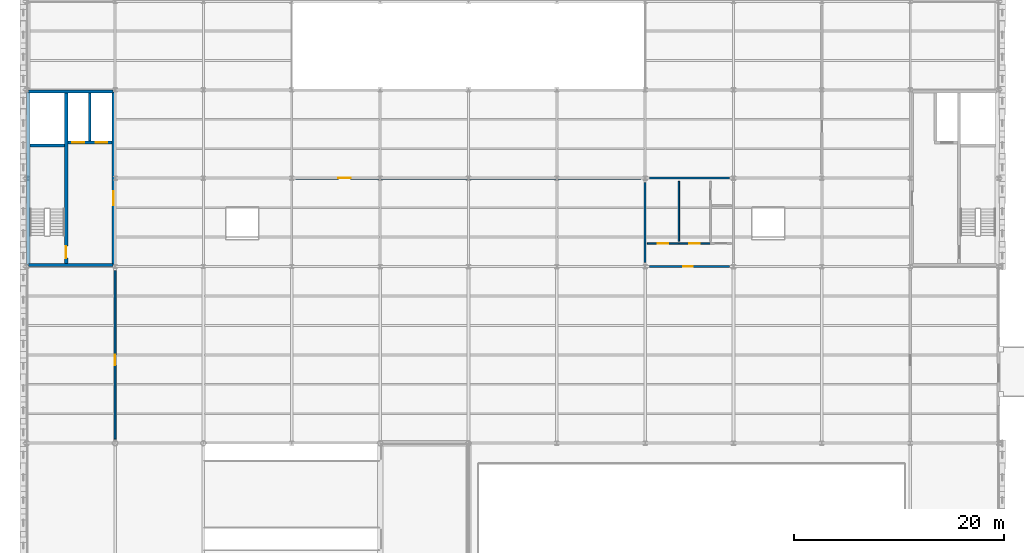
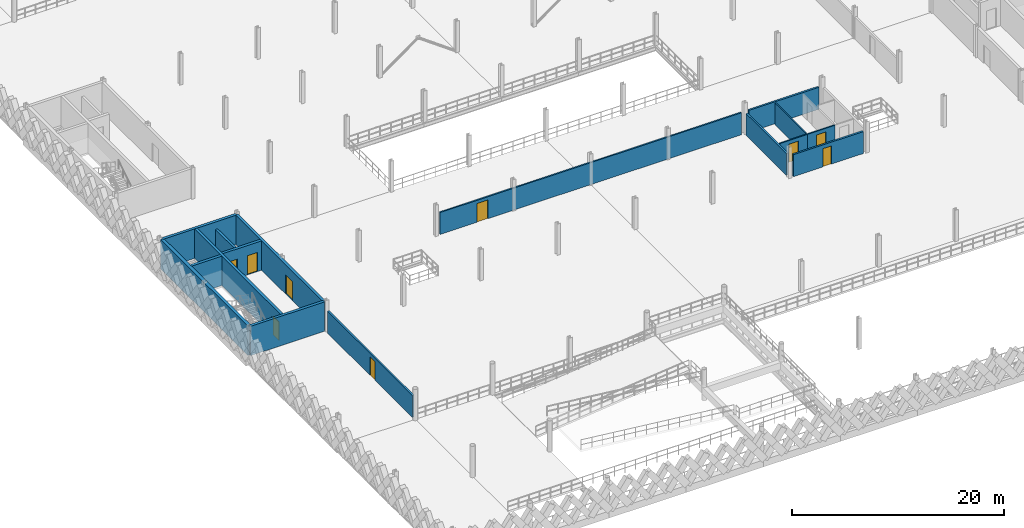
# One storey, part 84 of 101: 16 walls, 9 doors, 9 openings.
"""IFC4 building model written with IfcOpenShell, lengths in metres."""

from ifc_helpers import new_model, si_unit, direction, frame, frame_2d, origin, place, context, subcontext, project, spatial, rectangle, extrude, material, layer, layer_set, type_object, element, fill, save


model = new_model("IFC4")

# Units and contexts
model_context = context("Model", 3, precision=1e-05, world=origin(), true_north=direction((0.0, 1.0)))
body_context = subcontext(model_context, "Body", "Model", "MODEL_VIEW")
ifc_project = project(units=[si_unit("LENGTHUNIT", "METRE"), si_unit("AREAUNIT", "SQUARE_METRE"), si_unit("VOLUMEUNIT", "CUBIC_METRE"), si_unit("PLANEANGLEUNIT", "RADIAN"), si_unit("MASSUNIT", "GRAM", prefix="KILO"), si_unit("THERMODYNAMICTEMPERATUREUNIT", "KELVIN"), si_unit("POWERUNIT", "WATT")], contexts=[model_context])

# Site, building, storey
site_placement = place(None, origin())
site = spatial("IfcSite", under=ifc_project, at=site_placement, CompositionType="ELEMENT")
building_placement = place(site_placement, origin())
building = spatial("IfcBuilding", under=site, at=building_placement, Name="Tembeka Court Mobility Hub", CompositionType="ELEMENT")
storey_placement = place(building_placement, frame((0.0, 0.0, 5.39990234375)))
storey = spatial("IfcBuildingStorey", under=building, at=storey_placement, Name="L01", CompositionType="ELEMENT", Elevation=5.39990234375)

# Wall
ifc_material_1 = material(Name="Concrete C40/50", Category="concrete")
ifc_layer_1 = layer(ifc_material_1, 0.25)
ifc_layer_set_1 = layer_set([ifc_layer_1], Name="Concrete C40/50")
wall_type_1 = type_object("IfcWallType", Name="WL-IW01", PredefinedType="PARTITIONING", material=ifc_layer_set_1)
wall_1_placement = place(storey_placement, frame((6.0, 50.35009765625, 0.0), z_axis=(0.0, 0.0, 1.0), x_axis=(0.0, 1.0, 0.0)))
element("IfcWall", 1, at=wall_1_placement, inside=storey, type_object=wall_type_1, Name="Wall IW01 (IW-L01-0024)", PredefinedType="PARTITIONING", context=body_context, shape_type="SweptSolid", body=[
    extrude(rectangle(XDim=4.5498046875, YDim=0.25, at=frame_2d((2.27490234375, 0.0))), origin(), (0.0, 0.0, 1.0), 2.525146484375),
])

# Wall, opening, door
ifc_material_2 = material(Name="Concrete blockwork masonry", Category="masonry")
ifc_layer_2 = layer(ifc_material_2, 0.199951171875)
ifc_layer_set_2 = layer_set([ifc_layer_2], Name="Concrete blockwork masonry")
wall_type_2 = type_object("IfcWallType", Name="WL-IW02", PredefinedType="PARTITIONING", material=ifc_layer_set_2)
wall_2_placement = place(storey_placement, frame((59.199951171875, 38.39990234375, 0.0), z_axis=(0.0, 0.0, 1.0), x_axis=(1.0, 0.0, 0.0)))
wall_2 = element("IfcWall", 2, at=wall_2_placement, inside=storey, type_object=wall_type_2, Name="Wall IW02 (IW-L01-0356)", PredefinedType="PARTITIONING", context=body_context, shape_type="SweptSolid", body=[
    extrude(rectangle(XDim=7.60009765625, YDim=0.199951171875, at=frame_2d((3.800048828125, 0.0))), origin(), (0.0, 0.0, 1.0), 2.525146484375),
])
opening_1_placement = place(wall_2_placement, frame((3.199951171875, 0.0, 0.0)))
opening_1 = element("IfcOpeningElement", 3, at=opening_1_placement, cuts=wall_2, Name="Opening ID03", PredefinedType="OPENING", context=body_context, shape_type="SweptSolid", body=[
    extrude(rectangle(XDim=0.919921875, YDim=2.10009765625, at=frame_2d((0.4599609375, 1.050048828125))), frame((0.0, 0.10986328125, 0.0), z_axis=(0.0, -1.0, 0.0), x_axis=(1.0, 0.0, 0.0)), (0.0, 0.0, 1.0), 0.219970703125),
])
ifc_material_3 = material(Name="Galvanised steel fire/shutter doorset", Category="steel")
door_type_1 = type_object("IfcDoorType", Name="DR-ID03", OperationType="NOTDEFINED", PredefinedType="DOOR", material=ifc_material_3)
door_1_placement = place(opening_1_placement, origin())
door_1 = element("IfcDoor", 4, at=door_1_placement, inside=storey, type_object=door_type_1, Name="L01 washroom lobby entrance", OperationType="SINGLE_SWING_LEFT", OverallHeight=2.10009765625, OverallWidth=0.919921875, PredefinedType="DOOR", context=body_context, shape_type="SweptSolid", body=[
    extrude(rectangle(XDim=0.919921875, YDim=2.10009765625, at=frame_2d((0.4599609375, 1.050048828125))), frame((0.0, 0.02490234375, 0.0), z_axis=(0.0, -1.0, 0.0), x_axis=(1.0, 0.0, 0.0)), (0.0, 0.0, 1.0), 0.050048828125),
])
fill(opening_1, door_1)

# Walls
wall_3_placement = place(storey_placement, frame((59.199951171875, 46.800048828125, 0.0), z_axis=(0.0, 0.0, 1.0), x_axis=(1.0, 0.0, 0.0)))
element("IfcWall", 5, at=wall_3_placement, inside=storey, type_object=wall_type_2, Name="Wall IW02 (IW-L01-0357)", PredefinedType="PARTITIONING", context=body_context, shape_type="SweptSolid", body=[
    extrude(rectangle(XDim=7.60009765625, YDim=0.199951171875, at=frame_2d((3.800048828125, 0.0))), origin(), (0.0, 0.0, 1.0), 2.525146484375),
])
wall_4_placement = place(storey_placement, frame((58.800048828125, 38.800048828125, 0.0), z_axis=(0.0, 0.0, 1.0), x_axis=(0.0, 1.0, 0.0)))
element("IfcWall", 6, at=wall_4_placement, inside=storey, type_object=wall_type_2, Name="Wall IW02 (IW-L01-0358)", PredefinedType="PARTITIONING", context=body_context, shape_type="SweptSolid", body=[
    extrude(rectangle(XDim=7.599853515625, YDim=0.199951171875, at=frame_2d((3.7998046875, 0.0))), origin(), (0.0, 0.0, 1.0), 2.525146484375),
])

# Wall, opening, door
ifc_layer_3 = layer(ifc_material_2, 0.179931640625)
ifc_layer_set_3 = layer_set([ifc_layer_3], Name="Concrete blockwork masonry")
wall_type_3 = type_object("IfcWallType", Name="WL-IW03", PredefinedType="PARTITIONING", material=ifc_layer_set_3)
wall_5_placement = place(storey_placement, frame((8.39990234375, 22.0, 0.0), z_axis=(0.0, 0.0, 1.0), x_axis=(0.0, 1.0, 0.0)))
wall_5 = element("IfcWall", 7, at=wall_5_placement, inside=storey, type_object=wall_type_3, Name="Wall IW03 (IW-L01-0432)", PredefinedType="PARTITIONING", context=body_context, shape_type="SweptSolid", body=[
    extrude(rectangle(XDim=16.0, YDim=0.179931640625, at=frame_2d((8.0, 0.0))), origin(), (0.0, 0.0, 1.0), 2.525146484375),
])
opening_2_placement = place(wall_5_placement, frame((7.0, 0.0, 0.0)))
opening_2 = element("IfcOpeningElement", 8, at=opening_2_placement, cuts=wall_5, Name="Opening FD05", PredefinedType="OPENING", context=body_context, shape_type="SweptSolid", body=[
    extrude(rectangle(XDim=1.0, YDim=2.14990234375, at=frame_2d((0.5, 1.074951171875))), frame((0.0, 0.10009765625, 0.0), z_axis=(0.0, -1.0, 0.0), x_axis=(1.0, 0.0, 0.0)), (0.0, 0.0, 1.0), 0.199951171875),
])
door_type_2 = type_object("IfcDoorType", Name="DR-FD05", OperationType="NOTDEFINED", PredefinedType="DOOR", material=ifc_material_3)
door_2_placement = place(opening_2_placement, origin())
door_2 = element("IfcDoor", 9, at=door_2_placement, inside=storey, type_object=door_type_2, Name="Door FD05-0205", OperationType="SINGLE_SWING_RIGHT", OverallHeight=2.14990234375, OverallWidth=1.0, PredefinedType="DOOR", context=body_context, shape_type="SweptSolid", body=[
    extrude(rectangle(XDim=1.0, YDim=2.14990234375, at=frame_2d((0.5, 1.074951171875))), frame((0.0, 0.02490234375, 0.0), z_axis=(0.0, -1.0, 0.0), x_axis=(1.0, 0.0, 0.0)), (0.0, 0.0, 1.0), 0.050048828125),
])
fill(opening_2, door_2)

ifc_material_4 = material(Name="Acoustic metal-stud gypsum partition", Category="masonry")
ifc_layer_4 = layer(ifc_material_4, 0.159912109375)
ifc_layer_set_4 = layer_set([ifc_layer_4], Name="Acoustic metal-stud gypsum partition")
wall_type_4 = type_object("IfcWallType", Name="WL-IW04", PredefinedType="PARTITIONING", material=ifc_layer_set_4)
wall_6_placement = place(storey_placement, frame((25.60009765625, 46.800048828125, 0.0), z_axis=(0.0, 0.0, 1.0), x_axis=(1.0, 0.0, 0.0)))
wall_6 = element("IfcWall", 10, at=wall_6_placement, inside=storey, type_object=wall_type_4, Name="Wall IW04 (IW-L01-0434)", PredefinedType="PARTITIONING", context=body_context, shape_type="SweptSolid", body=[
    extrude(rectangle(XDim=32.7998046875, YDim=0.159912109375, at=frame_2d((16.39990234375, 0.0))), origin(), (0.0, 0.0, 1.0), 2.525146484375),
])
opening_3_placement = place(wall_6_placement, frame((4.0, 0.0, 0.0)))
opening_3 = element("IfcOpeningElement", 11, at=opening_3_placement, cuts=wall_6, Name="Opening ID04", PredefinedType="OPENING", context=body_context, shape_type="SweptSolid", body=[
    extrude(rectangle(XDim=1.199951171875, YDim=2.14990234375, at=frame_2d((0.60009765625, 1.074951171875))), frame((0.0, 0.08984375, 0.0), z_axis=(0.0, -1.0, 0.0), x_axis=(1.0, 0.0, 0.0)), (0.0, 0.0, 1.0), 0.179931640625),
])
ifc_material_5 = material(Name="Powder-coated aluminium glazed doorset", Category="aluminium")
door_type_3 = type_object("IfcDoorType", Name="DR-ID04", OperationType="NOTDEFINED", PredefinedType="DOOR", material=ifc_material_5)
door_3_placement = place(opening_3_placement, origin())
door_3 = element("IfcDoor", 12, at=door_3_placement, inside=storey, type_object=door_type_3, Name="Door ID04-0207", OperationType="SINGLE_SWING_RIGHT", OverallHeight=2.14990234375, OverallWidth=1.199951171875, PredefinedType="DOOR", context=body_context, shape_type="SweptSolid", body=[
    extrude(rectangle(XDim=1.199951171875, YDim=2.14990234375, at=frame_2d((0.60009765625, 1.074951171875))), frame((0.0, 0.02490234375, 0.0), z_axis=(0.0, -1.0, 0.0), x_axis=(1.0, 0.0, 0.0)), (0.0, 0.0, 1.0), 0.050048828125),
])
fill(opening_3, door_3)

ifc_material_6 = material(Name="Moisture-resistant gypsum partition", Category="masonry")
ifc_layer_5 = layer(ifc_material_6, 0.139892578125)
ifc_layer_set_5 = layer_set([ifc_layer_5], Name="Moisture-resistant gypsum partition")
wall_type_5 = type_object("IfcWallType", Name="WL-IW05", PredefinedType="PARTITIONING", material=ifc_layer_set_5)
wall_7_placement = place(storey_placement, frame((59.0, 40.60009765625, 0.0), z_axis=(0.0, 0.0, 1.0), x_axis=(1.0, 0.0, 0.0)))
wall_7 = element("IfcWall", 13, at=wall_7_placement, inside=storey, type_object=wall_type_5, Name="Wall IW05 (IW-L01-0360)", PredefinedType="PARTITIONING", context=body_context, shape_type="SweptSolid", body=[
    extrude(rectangle(XDim=3.0, YDim=0.139892578125, at=frame_2d((1.5, 0.0))), origin(), (0.0, 0.0, 1.0), 2.525146484375),
])
opening_4_placement = place(wall_7_placement, frame((1.0, 0.0, 0.0)))
opening_4 = element("IfcOpeningElement", 14, at=opening_4_placement, cuts=wall_7, Name="Opening ID02", PredefinedType="OPENING", context=body_context, shape_type="SweptSolid", body=[
    extrude(rectangle(XDim=1.0, YDim=2.10009765625, at=frame_2d((0.5, 1.050048828125))), frame((0.0, 0.080078125, 0.0), z_axis=(0.0, -1.0, 0.0), x_axis=(1.0, 0.0, 0.0)), (0.0, 0.0, 1.0), 0.159912109375),
])
door_type_4 = type_object("IfcDoorType", Name="DR-ID02", OperationType="NOTDEFINED", PredefinedType="DOOR", material=ifc_material_5)
door_4_placement = place(opening_4_placement, origin())
door_4 = element("IfcDoor", 15, at=door_4_placement, inside=storey, type_object=door_type_4, Name="L01 male WC door", OperationType="SINGLE_SWING_RIGHT", OverallHeight=2.10009765625, OverallWidth=1.0, PredefinedType="DOOR", context=body_context, shape_type="SweptSolid", body=[
    extrude(rectangle(XDim=1.0, YDim=2.10009765625, at=frame_2d((0.5, 1.050048828125))), frame((0.0, 0.02490234375, 0.0), z_axis=(0.0, -1.0, 0.0), x_axis=(1.0, 0.0, 0.0)), (0.0, 0.0, 1.0), 0.050048828125),
])
fill(opening_4, door_4)

wall_8_placement = place(storey_placement, frame((62.0, 40.60009765625, 0.0), z_axis=(0.0, 0.0, 1.0), x_axis=(1.0, 0.0, 0.0)))
wall_8 = element("IfcWall", 16, at=wall_8_placement, inside=storey, type_object=wall_type_5, Name="Wall IW05 (IW-L01-0361)", PredefinedType="PARTITIONING", context=body_context, shape_type="SweptSolid", body=[
    extrude(rectangle(XDim=3.0, YDim=0.139892578125, at=frame_2d((1.5, 0.0))), origin(), (0.0, 0.0, 1.0), 2.525146484375),
])
opening_5_placement = place(wall_8_placement, frame((1.0, 0.0, 0.0)))
opening_5 = element("IfcOpeningElement", 17, at=opening_5_placement, cuts=wall_8, Name="Opening ID02", PredefinedType="OPENING", context=body_context, shape_type="SweptSolid", body=[
    extrude(rectangle(XDim=1.0, YDim=2.10009765625, at=frame_2d((0.5, 1.050048828125))), frame((0.0, 0.080078125, 0.0), z_axis=(0.0, -1.0, 0.0), x_axis=(1.0, 0.0, 0.0)), (0.0, 0.0, 1.0), 0.159912109375),
])
door_5_placement = place(opening_5_placement, origin())
door_5 = element("IfcDoor", 18, at=door_5_placement, inside=storey, type_object=door_type_4, Name="L01 female WC door", OperationType="SINGLE_SWING_LEFT", OverallHeight=2.10009765625, OverallWidth=1.0, PredefinedType="DOOR", context=body_context, shape_type="SweptSolid", body=[
    extrude(rectangle(XDim=1.0, YDim=2.10009765625, at=frame_2d((0.5, 1.050048828125))), frame((0.0, 0.02490234375, 0.0), z_axis=(0.0, -1.0, 0.0), x_axis=(1.0, 0.0, 0.0)), (0.0, 0.0, 1.0), 0.050048828125),
])
fill(opening_5, door_5)

# Walls
wall_9_placement = place(storey_placement, frame((62.0, 40.800048828125, 0.0), z_axis=(0.0, 0.0, 1.0), x_axis=(0.0, 1.0, 0.0)))
element("IfcWall", 19, at=wall_9_placement, inside=storey, type_object=wall_type_5, Name="Wall IW05 (IW-L01-0363)", PredefinedType="PARTITIONING", context=body_context, shape_type="SweptSolid", body=[
    extrude(rectangle(XDim=5.699951171875, YDim=0.139892578125, at=frame_2d((2.85009765625, 0.0))), origin(), (0.0, 0.0, 1.0), 2.525146484375),
])
ifc_layer_6 = layer(ifc_material_1, 0.300048828125)
ifc_layer_set_6 = layer_set([ifc_layer_6], Name="Concrete C40/50")
wall_type_6 = type_object("IfcWallType", Name="WL-SW01", PredefinedType="SHEAR", material=ifc_layer_set_6)
for number, where, z_axis, x_axis, name in (
    (20, (0.1845703125, 38.550048828125, 0.0), (0.0, 0.0, 1.0), (1.0, 0.0, 0.0), "Wall SW01 (IW-L01-0017)"),
    (21, (0.1845703125, 55.050048828125, 0.0), (0.0, 0.0, 1.0), (1.0, 0.0, 0.0), "Wall SW01 (IW-L01-0018)"),
):
    element("IfcWall", number, at=place(storey_placement, frame(where, z_axis=z_axis, x_axis=x_axis)), inside=storey, type_object=wall_type_6, Name=name, PredefinedType="SHEAR", context=body_context, shape_type="SweptSolid", body=[
        extrude(rectangle(XDim=8.031005859375, YDim=0.300048828125, at=frame_2d((4.015625, 0.0))), origin(), (0.0, 0.0, 1.0), 3.380126953125),
    ])
wall_10_placement = place(storey_placement, frame((0.300048828125, 49.89990234375, 0.0), z_axis=(0.0, 0.0, 1.0), x_axis=(1.0, 0.0, 0.0)))
element("IfcWall", 22, at=wall_10_placement, inside=storey, type_object=wall_type_6, Name="Wall SW01 (IW-L01-0019)", PredefinedType="SHEAR", context=body_context, shape_type="SweptSolid", body=[
    extrude(rectangle(XDim=3.300048828125, YDim=0.300048828125, at=frame_2d((1.64990234375, 0.0))), origin(), (0.0, 0.0, 1.0), 3.380126953125),
])

# Wall, opening, door
wall_11_placement = place(storey_placement, frame((8.25, 38.58203125, 0.0), z_axis=(0.0, 0.0, 1.0), x_axis=(0.0, 1.0, 0.0)))
wall_11 = element("IfcWall", 23, at=wall_11_placement, inside=storey, type_object=wall_type_6, Name="Wall SW01 (IW-L01-0021)", PredefinedType="SHEAR", context=body_context, shape_type="SweptSolid", body=[
    extrude(rectangle(XDim=16.43603515625, YDim=0.300048828125, at=frame_2d((8.218017578125, 0.0))), origin(), (0.0, 0.0, 1.0), 3.380126953125),
])
opening_6_placement = place(wall_11_placement, frame((5.66796875, 0.0, 0.0)))
opening_6 = element("IfcOpeningElement", 24, at=opening_6_placement, cuts=wall_11, Name="Opening FD02", PredefinedType="OPENING", context=body_context, shape_type="SweptSolid", body=[
    extrude(rectangle(XDim=1.300048828125, YDim=2.199951171875, at=frame_2d((0.64990234375, 1.10009765625))), frame((0.0, 0.16015625, 0.0), z_axis=(0.0, -1.0, 0.0), x_axis=(1.0, 0.0, 0.0)), (0.0, 0.0, 1.0), 0.320068359375),
])
door_type_5 = type_object("IfcDoorType", Name="DR-FD02", OperationType="NOTDEFINED", PredefinedType="DOOR", material=ifc_material_3)
door_6_placement = place(opening_6_placement, origin())
door_6 = element("IfcDoor", 25, at=door_6_placement, inside=storey, type_object=door_type_5, Name="Door FD02-0010", OperationType="SINGLE_SWING_RIGHT", OverallHeight=2.199951171875, OverallWidth=1.300048828125, PredefinedType="DOOR", context=body_context, shape_type="SweptSolid", body=[
    extrude(rectangle(XDim=1.300048828125, YDim=2.199951171875, at=frame_2d((0.64990234375, 1.10009765625))), frame((0.0, 0.02490234375, 0.0), z_axis=(0.0, -1.0, 0.0), x_axis=(1.0, 0.0, 0.0)), (0.0, 0.0, 1.0), 0.050048828125),
])
fill(opening_6, door_6)

wall_12_placement = place(storey_placement, frame((3.75, 38.699951171875, 0.0), z_axis=(0.0, 0.0, 1.0), x_axis=(0.0, 1.0, 0.0)))
wall_12 = element("IfcWall", 26, at=wall_12_placement, inside=storey, type_object=wall_type_6, Name="Wall SW01 (IW-L01-0022)", PredefinedType="SHEAR", context=body_context, shape_type="SweptSolid", body=[
    extrude(rectangle(XDim=16.199951171875, YDim=0.300048828125, at=frame_2d((8.10009765625, 0.0))), origin(), (0.0, 0.0, 1.0), 3.380126953125),
])
opening_7_placement = place(wall_12_placement, frame((0.5, 0.0, 0.0)))
opening_7 = element("IfcOpeningElement", 27, at=opening_7_placement, cuts=wall_12, Name="Opening FD03", PredefinedType="OPENING", context=body_context, shape_type="SweptSolid", body=[
    extrude(rectangle(XDim=1.14990234375, YDim=2.14990234375, at=frame_2d((0.574951171875, 1.074951171875))), frame((0.0, 0.16015625, 0.0), z_axis=(0.0, -1.0, 0.0), x_axis=(1.0, 0.0, 0.0)), (0.0, 0.0, 1.0), 0.320068359375),
])
door_type_6 = type_object("IfcDoorType", Name="DR-FD03", OperationType="NOTDEFINED", PredefinedType="DOOR", material=ifc_material_3)
door_7_placement = place(opening_7_placement, frame((1.14990234375, 0.0, 0.0), z_axis=(0.0, 0.0, 1.0), x_axis=(-1.0, 0.0, 0.0)))
door_7 = element("IfcDoor", 28, at=door_7_placement, inside=storey, type_object=door_type_6, Name="Door FD03-0011", OperationType="SINGLE_SWING_LEFT", OverallHeight=2.14990234375, OverallWidth=1.14990234375, PredefinedType="DOOR", context=body_context, shape_type="SweptSolid", body=[
    extrude(rectangle(XDim=1.14990234375, YDim=2.14990234375, at=frame_2d((0.574951171875, 1.074951171875))), frame((0.0, 0.02490234375, 0.0), z_axis=(0.0, -1.0, 0.0), x_axis=(1.0, 0.0, 0.0)), (0.0, 0.0, 1.0), 0.050048828125),
])
fill(opening_7, door_7)

# Wall, openings, doors
wall_13_placement = place(storey_placement, frame((3.89990234375, 50.199951171875, 0.0), z_axis=(0.0, 0.0, 1.0), x_axis=(1.0, 0.0, 0.0)))
wall_13 = element("IfcWall", 29, at=wall_13_placement, inside=storey, type_object=wall_type_6, Name="Wall SW01 (IW-L01-0023)", PredefinedType="SHEAR", context=body_context, shape_type="SweptSolid", body=[
    extrude(rectangle(XDim=4.2001953125, YDim=0.300048828125, at=frame_2d((2.10009765625, 0.0))), origin(), (0.0, 0.0, 1.0), 3.380126953125),
])
opening_8_placement = place(wall_13_placement, frame((0.449951171875, 0.0, 0.0)))
opening_8 = element("IfcOpeningElement", 30, at=opening_8_placement, cuts=wall_13, Name="Opening LD01", PredefinedType="OPENING", context=body_context, shape_type="SweptSolid", body=[
    extrude(rectangle(XDim=1.10009765625, YDim=2.199951171875, at=frame_2d((0.550048828125, 1.10009765625))), frame((0.0, 0.16015625, 0.0), z_axis=(0.0, -1.0, 0.0), x_axis=(1.0, 0.0, 0.0)), (0.0, 0.0, 1.0), 0.320068359375),
])
opening_9_placement = place(wall_13_placement, frame((2.64990234375, 0.0, 0.0)))
opening_9 = element("IfcOpeningElement", 31, at=opening_9_placement, cuts=wall_13, Name="Opening LD01", PredefinedType="OPENING", context=body_context, shape_type="SweptSolid", body=[
    extrude(rectangle(XDim=1.10009765625, YDim=2.199951171875, at=frame_2d((0.550048828125, 1.10009765625))), frame((0.0, 0.16015625, 0.0), z_axis=(0.0, -1.0, 0.0), x_axis=(1.0, 0.0, 0.0)), (0.0, 0.0, 1.0), 0.320068359375),
])
door_type_7 = type_object("IfcDoorType", Name="DR-LD01", OperationType="SLIDING_TO_LEFT", PredefinedType="DOOR", material=ifc_material_3)
door_8_placement = place(opening_8_placement, origin())
door_8 = element("IfcDoor", 32, at=door_8_placement, inside=storey, type_object=door_type_7, Name="Lift LF01 landing door L01", OperationType="SLIDING_TO_LEFT", OverallHeight=2.199951171875, OverallWidth=1.10009765625, PredefinedType="DOOR", context=body_context, shape_type="SweptSolid", body=[
    extrude(rectangle(XDim=1.10009765625, YDim=2.199951171875, at=frame_2d((0.550048828125, 1.10009765625))), frame((0.0, 0.02490234375, 0.0), z_axis=(0.0, -1.0, 0.0), x_axis=(1.0, 0.0, 0.0)), (0.0, 0.0, 1.0), 0.050048828125),
])
fill(opening_8, door_8)
door_9_placement = place(opening_9_placement, origin())
door_9 = element("IfcDoor", 33, at=door_9_placement, inside=storey, type_object=door_type_7, Name="Lift LF03 landing door L01", OperationType="SLIDING_TO_LEFT", OverallHeight=2.199951171875, OverallWidth=1.10009765625, PredefinedType="DOOR", context=body_context, shape_type="SweptSolid", body=[
    extrude(rectangle(XDim=1.10009765625, YDim=2.199951171875, at=frame_2d((0.550048828125, 1.10009765625))), frame((0.0, 0.02490234375, 0.0), z_axis=(0.0, -1.0, 0.0), x_axis=(1.0, 0.0, 0.0)), (0.0, 0.0, 1.0), 0.050048828125),
])
fill(opening_9, door_9)

# Wall
ifc_layer_7 = layer(ifc_material_1, 0.35009765625)
ifc_layer_set_7 = layer_set([ifc_layer_7], Name="Concrete C40/50")
wall_type_7 = type_object("IfcWallType", Name="WL-SW02", PredefinedType="SHEAR", material=ifc_layer_set_7)
wall_14_placement = place(storey_placement, frame((0.14990234375, 38.58203125, 0.0), z_axis=(0.0, 0.0, 1.0), x_axis=(0.0, 1.0, 0.0)))
element("IfcWall", 34, at=wall_14_placement, inside=storey, type_object=wall_type_7, Name="Wall SW02 (IW-L01-0020)", PredefinedType="SHEAR", context=body_context, shape_type="SweptSolid", body=[
    extrude(rectangle(XDim=16.43603515625, YDim=0.35009765625, at=frame_2d((8.218017578125, 0.0))), origin(), (0.0, 0.0, 1.0), 3.380126953125),
])

save(model, "model.ifc")
